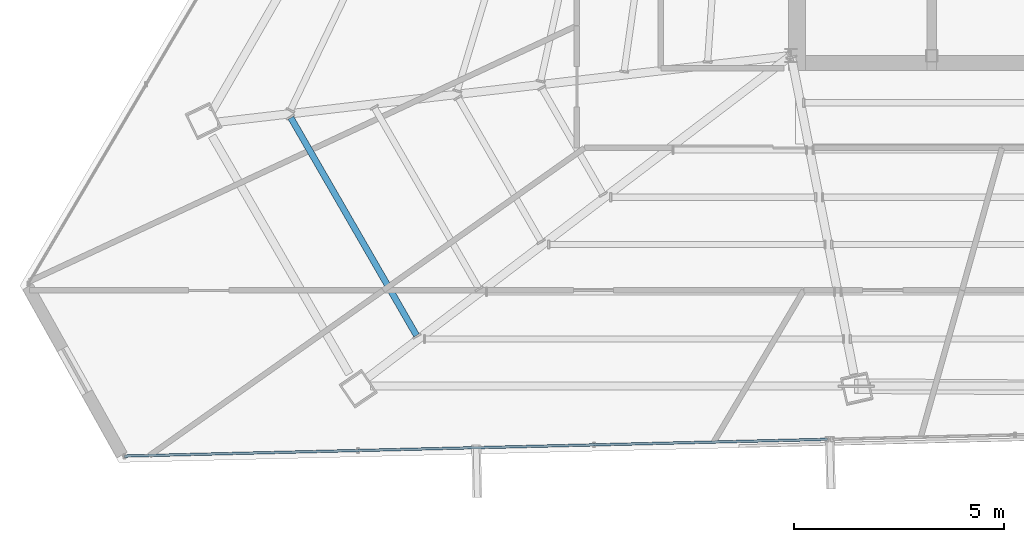
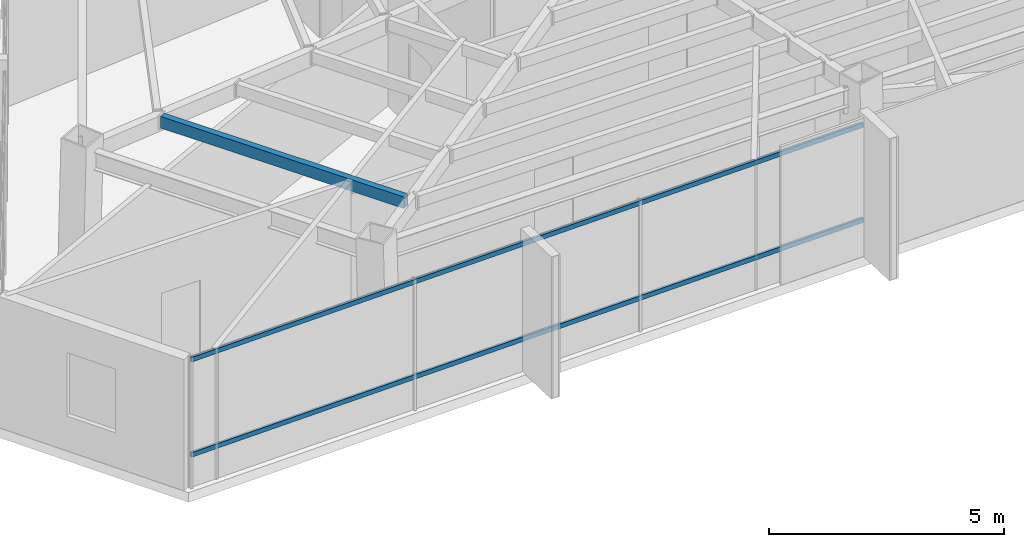
# One storey, part 4 of 45: 2 members, 1 beam, 1 element without a shape of its own.
"""IFC4 building model written with IfcOpenShell, lengths in metres."""

from ifc_helpers import new_model, si_unit, direction, frame, origin, origin_2d, place, context, subcontext, project, spatial, hollow_rectangle, extrude, source, transform, mapped, material, material_profile, profile_set, type_object, type_shapes, element, aggregate, save


model = new_model("IFC4")

# Units and contexts
model_context = context("Model", 3, precision=1e-05, world=origin(), true_north=direction((0.0, 1.0)))
body_context = subcontext(model_context, "Body", "Model", "MODEL_VIEW")
ifc_project = project(units=[si_unit("LENGTHUNIT", "METRE"), si_unit("AREAUNIT", "SQUARE_METRE"), si_unit("VOLUMEUNIT", "CUBIC_METRE"), si_unit("PLANEANGLEUNIT", "RADIAN"), si_unit("MASSUNIT", "GRAM", prefix="KILO")], contexts=[model_context])

# Site, building, storey
site_placement = place(None, origin())
site = spatial("IfcSite", under=ifc_project, at=site_placement, CompositionType="ELEMENT")
building_placement = place(site_placement, origin())
building = spatial("IfcBuilding", under=site, at=building_placement, Name="Caelisora Broadcast Tower", CompositionType="ELEMENT")
storey_placement = place(building_placement, frame((0.0, 0.0, 262.699951171875)))
storey = spatial("IfcBuildingStorey", under=building, at=storey_placement, Name="L69", CompositionType="ELEMENT", Elevation=262.699951171875)

# Beam
ifc_material_1 = material(Name="Steel Grade 350 (AS/NZS 1163 C350L0)", Category="steel")
ifc_material_profile_1 = material_profile(ifc_material_1, hollow_rectangle(XDim=0.14990234375, YDim=0.300048828125, WallThickness=0.010009765625, at=origin_2d()), Name="Steel Grade 350 (AS/NZS 1163 C350L0)")
ifc_profile_set_1 = profile_set([ifc_material_profile_1], Name="Steel Grade 350 (AS/NZS 1163 C350L0)")
beam_type = type_object("IfcBeamType", Name="SB05", PredefinedType="JOIST", material=ifc_profile_set_1)
shared_shape_1 = source(origin(), body_context, "Body", "SweptSolid", [
    extrude(hollow_rectangle(XDim=0.14990234375, YDim=0.300048828125, WallThickness=0.010009765625, at=origin_2d()), origin(), (0.0, 0.0, 1.0), 5.982177734375),
])
type_shapes(beam_type, [shared_shape_1])
beam_placement = place(storey_placement, frame((18.590576171875, 15.918701171875, 3.25), z_axis=(0.499988591591, -0.866031990332, 0.0), x_axis=(0.866031990332, 0.499988591591, 0.0)))
element("IfcBeam", 1, at=beam_placement, inside=storey, type_object=beam_type, Name="L69 beam SB05", PredefinedType="JOIST", context=body_context, shape_type="MappedRepresentation", body=[
    mapped(shared_shape_1, transform((0.0, 0.0, 0.0), scale=1.0)),
])

# Curtain wall, members
ifc_material_2 = material(Name="Unitised Aluminium and Low-E Glass Curtain Wall", Category="glass")
curtain_wall_type = type_object("IfcCurtainWallType", Name="CW-Z5", PredefinedType="NOTDEFINED", material=ifc_material_2)
curtain_wall_placement = place(storey_placement, origin())
curtain_wall = element("IfcCurtainWall", 2, at=curtain_wall_placement, inside=storey, type_object=curtain_wall_type, Name="L69 curtain wall CW-Z5", PredefinedType="NOTDEFINED")
ifc_material_3 = material(Name="Aluminium 6063-T6 Anodised Terracotta Bronze", Category="aluminium")
ifc_material_profile_2 = material_profile(ifc_material_3, hollow_rectangle(XDim=0.06005859375, YDim=0.1201171875, WallThickness=0.0029296875, at=origin_2d()), Name="Aluminium 6063-T6 Anodised Terracotta Bronze")
ifc_profile_set_2 = profile_set([ifc_material_profile_2], Name="Aluminium 6063-T6 Anodised Terracotta Bronze")
member_type = type_object("IfcMemberType", Name="CWT-03", PredefinedType="USERDEFINED", material=ifc_profile_set_2)
shared_shape_2 = source(origin(), body_context, "Body", "SweptSolid", [
    extrude(hollow_rectangle(XDim=0.06005859375, YDim=0.1201171875, WallThickness=0.0029296875, at=origin_2d()), origin(), (0.0, 0.0, 1.0), 16.73583984375),
])
type_shapes(member_type, [shared_shape_2])
member_1_placement = place(storey_placement, frame((31.365234375, 8.263671875, 0.85009765625), z_axis=(-0.999716566288, -0.023807290659, 0.0), x_axis=(0.023807290659, -0.999716566288, 0.0)))
member_1 = element("IfcMember", 3, at=member_1_placement, type_object=member_type, Name="L69-CW-B07 transom #1", ObjectType="TRANSOM", PredefinedType="USERDEFINED", context=body_context, shape_type="MappedRepresentation", body=[
    mapped(shared_shape_2, transform((0.0, 0.0, 0.0), scale=1.0)),
])
member_2_placement = place(storey_placement, frame((31.365234375, 8.263671875, 3.320068359375), z_axis=(-0.999716566288, -0.023807290659, 0.0), x_axis=(0.023807290659, -0.999716566288, 0.0)))
member_2 = element("IfcMember", 4, at=member_2_placement, type_object=member_type, Name="L69-CW-B07 transom #2", ObjectType="TRANSOM", PredefinedType="USERDEFINED", context=body_context, shape_type="MappedRepresentation", body=[
    mapped(shared_shape_2, transform((0.0, 0.0, 0.0), scale=1.0)),
])
aggregate(curtain_wall, [member_1, member_2])

save(model, "model.ifc")
